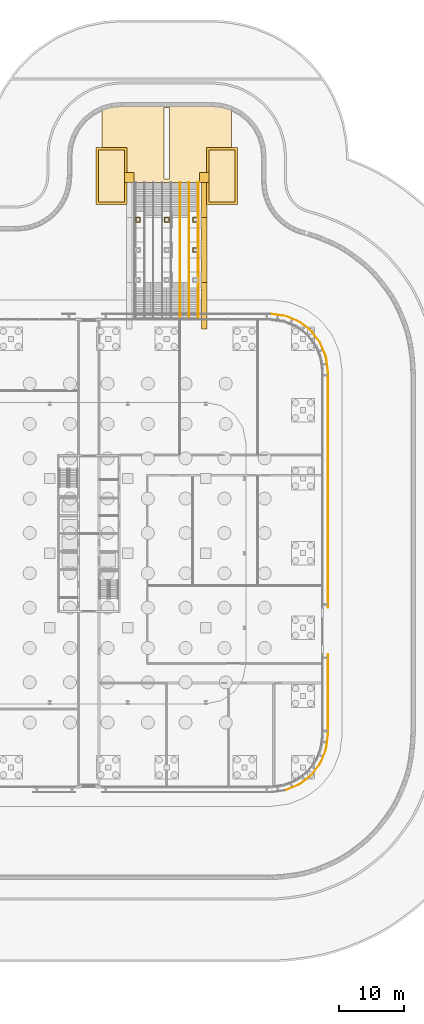
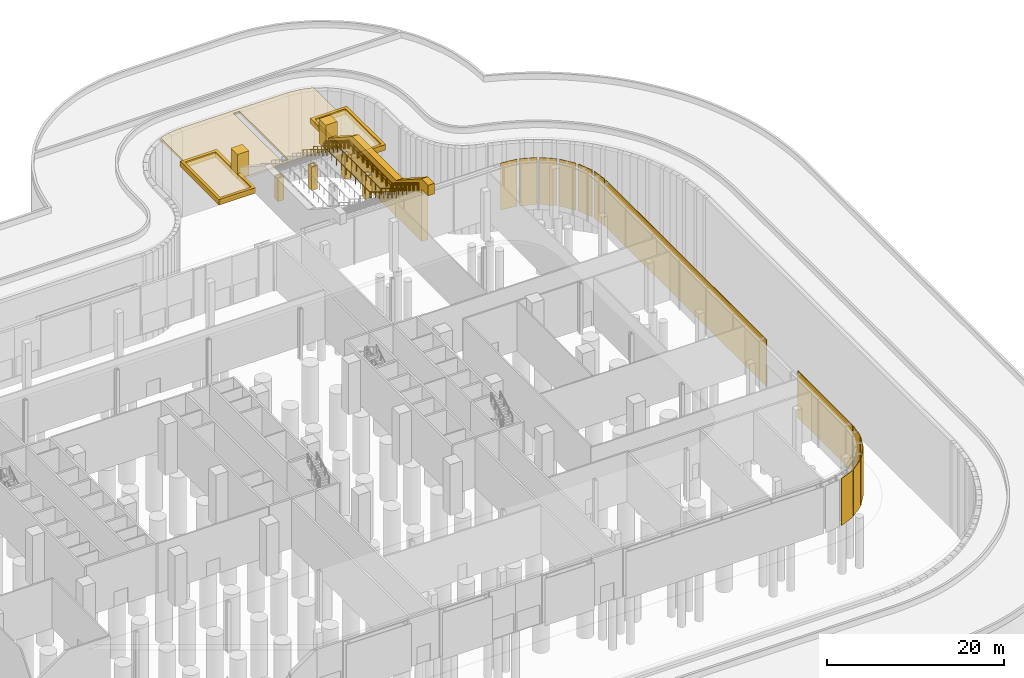
# One storey, part 46 of 48: 25 coverings, 4 railings, 1 element without a shape of its own.
"""IFC4 building model written with IfcOpenShell, lengths in metres."""

import ifcopenshell
import ifcopenshell.guid

model = None  # the IFC model being written
_history = None  # IfcOwnerHistory: only IFC2X3 demands one
_inside = {}  # id of a spatial element -> (the spatial element, [elements in it])
_under = {}  # id of a project, library or spatial element -> (it, [spatial elements below it])
_declared = {}  # id of a project -> (the project, [libraries it declares])
_typed = {}  # id of a type object -> (the type object, [elements of that type])
_made_of = {}  # id of a material, layer set ... -> (it, [elements and type objects made of it])


def new_model(schema):
    """Start an empty IFC model of exactly this schema.

    Asked for "IFC4X3", IfcOpenShell would pick the latest addendum, in which some entities
    have other attributes; the version numbers below select the first issue.
    IFC2X3 requires an IfcOwnerHistory on every rooted entity: one is made here for all.
    """
    global model, _history
    if schema == "IFC4X3":
        model = ifcopenshell.file(schema_version=(4, 3, 0, 0))
    else:
        model = ifcopenshell.file(schema=schema)
    _inside.clear()
    _under.clear()
    _declared.clear()
    _typed.clear()
    _made_of.clear()
    _history = None
    if model.schema == "IFC2X3":
        org = make("IfcOrganization", Name="unknown")
        user = make(
            "IfcPersonAndOrganization",
            ThePerson=make("IfcPerson", FamilyName="unknown"),
            TheOrganization=org,
        )
        app = make(
            "IfcApplication",
            ApplicationDeveloper=org,
            Version="unknown",
            ApplicationFullName="unknown",
            ApplicationIdentifier="unknown",
        )
        _history = make(
            "IfcOwnerHistory",
            OwningUser=user,
            OwningApplication=app,
            ChangeAction="ADDED",
            CreationDate=0,
        )
    return model


def make(cls, **values):
    """One entity of the class cls with the attributes given. An attribute that is None is left unset."""
    return model.create_entity(
        cls, **{name: value for name, value in values.items() if value is not None}
    )


def rooted(cls, **values):
    """An entity with a GlobalId (a new one), such as an element, a storey or a relation."""
    return make(cls, GlobalId=ifcopenshell.guid.new(), OwnerHistory=_history, **values)


def si_unit(unit_type, name, prefix=None):
    """IfcSIUnit, for example si_unit("LENGTHUNIT", "METRE", prefix="MILLI")."""
    return make("IfcSIUnit", UnitType=unit_type, Prefix=prefix, Name=name)


def assignment(units):
    """IfcUnitAssignment: the units of a project."""
    return None if units is None else make("IfcUnitAssignment", Units=units)


def point(xyz):
    """IfcCartesianPoint."""
    return None if xyz is None else make("IfcCartesianPoint", Coordinates=xyz)


def direction(xyz):
    """IfcDirection."""
    return None if xyz is None else make("IfcDirection", DirectionRatios=xyz)


def frame(location, z_axis=None, x_axis=None):
    """IfcAxis2Placement3D, a coordinate frame: its origin and axes. An axis left out is left unset."""
    return make(
        "IfcAxis2Placement3D",
        Location=point(location),
        Axis=direction(z_axis),
        RefDirection=direction(x_axis),
    )


def frame_2d(location, x_axis=None):
    """IfcAxis2Placement2D, a coordinate frame in the plane: its origin and x axis."""
    return make(
        "IfcAxis2Placement2D", Location=point(location), RefDirection=direction(x_axis)
    )


def origin():
    """The frame at (0, 0, 0) with its axes left unset."""
    return frame((0.0, 0.0, 0.0))


def origin_2d():
    """The frame at (0, 0) in the plane with its x axis left unset."""
    return frame_2d((0.0, 0.0))


def place(relative_to, where):
    """IfcLocalPlacement: puts the frame where relative to a parent placement (None: the world)."""
    return make(
        "IfcLocalPlacement", PlacementRelTo=relative_to, RelativePlacement=where
    )


def context(
    kind, dimensions, precision=None, world=None, true_north=None, identifier=None
):
    """IfcGeometricRepresentationContext, for example the 3D "Model" context."""
    return make(
        "IfcGeometricRepresentationContext",
        ContextIdentifier=identifier,
        ContextType=kind,
        CoordinateSpaceDimension=dimensions,
        Precision=precision,
        WorldCoordinateSystem=world,
        TrueNorth=true_north,
    )


def subcontext(parent, identifier, kind, view, scale=None):
    """IfcGeometricRepresentationSubContext, for example "Body" below "Model"."""
    return make(
        "IfcGeometricRepresentationSubContext",
        ContextIdentifier=identifier,
        ContextType=kind,
        ParentContext=parent,
        TargetScale=scale,
        TargetView=view,
    )


def project(units=None, contexts=None):
    """IfcProject with its units and contexts."""
    return rooted(
        "IfcProject",
        Name="project",
        RepresentationContexts=contexts,
        UnitsInContext=assignment(units),
    )


def spatial(cls, under=None, at=None, **own):
    """A site, building, storey or space (cls), placed at a placement, below another one or the project."""
    s = rooted(cls, ObjectPlacement=at, **own)
    if under is not None:
        _under.setdefault(under.id(), (under, []))[1].append(s)
    return s


def polyline(points):
    """IfcPolyline through the points."""
    return make("IfcPolyline", Points=[point(p) for p in points])


def profile(cls, at=None, kind="AREA", **sizes):
    """A parametric profile (cls). Its sizes go by their IFC names, for example OverallWidth=200.0."""
    return make(cls, ProfileType=kind, Position=at, **sizes)


def rectangle(**sizes):
    """IfcRectangleProfileDef."""
    return profile("IfcRectangleProfileDef", **sizes)


def circle(**sizes):
    """IfcCircleProfileDef."""
    return profile("IfcCircleProfileDef", **sizes)


def outline(outer, holes=None, kind="AREA"):
    """IfcArbitraryClosedProfileDef: a profile drawn as a closed curve; with holes, ...WithVoids."""
    if holes is None:
        return make("IfcArbitraryClosedProfileDef", ProfileType=kind, OuterCurve=outer)
    return make(
        "IfcArbitraryProfileDefWithVoids",
        ProfileType=kind,
        OuterCurve=outer,
        InnerCurves=holes,
    )


def extrude(swept, where, along, depth):
    """IfcExtrudedAreaSolid: the profile swept, set in the frame where, extruded along a direction by depth."""
    return make(
        "IfcExtrudedAreaSolid",
        SweptArea=swept,
        Position=where,
        ExtrudedDirection=direction(along),
        Depth=depth,
    )


def shape(context_of_items, identifier, shape_type, items):
    """IfcShapeRepresentation: the items that make up one representation, for example the "Body"."""
    return make(
        "IfcShapeRepresentation",
        ContextOfItems=context_of_items,
        RepresentationIdentifier=identifier,
        RepresentationType=shape_type,
        Items=items,
    )


def material(Name=None, Category=None):
    """IfcMaterial."""
    return make("IfcMaterial", Name=Name, Category=Category)


def layer(
    of_material, thickness, ventilated=None, Name=None, Category=None, Priority=None
):
    """IfcMaterialLayer: one layer of a wall or slab, of a material (None: an air gap)."""
    return make(
        "IfcMaterialLayer",
        Material=of_material,
        LayerThickness=thickness,
        IsVentilated=ventilated,
        Name=Name,
        Category=Category,
        Priority=Priority,
    )


def layer_set(layers, Name=None):
    """IfcMaterialLayerSet."""
    return make("IfcMaterialLayerSet", MaterialLayers=layers, LayerSetName=Name)


def made_of(thing, what):
    """Note that an element or type object is made of a material, layer set ...; save() writes the relation."""
    if what is not None:
        _made_of.setdefault(what.id(), (what, []))[1].append(thing)
    return thing


def type_object(cls, material=None, **own):
    """A type object (cls), such as IfcWallType, which elements share."""
    return made_of(rooted(cls, **own), material)


def element(
    cls,
    number,
    at=None,
    inside=None,
    cuts=None,
    type_object=None,
    material=None,
    context=None,
    identifier="Body",
    shape_type=None,
    held_by="IfcProductDefinitionShape",
    body=None,
    shapes=None,
    **own,
):
    """One element of the class cls, such as IfcWall. Its Tag is "e" and its number.

    at: its placement. inside: the storey or other place that contains it. cuts: it is an
    opening in that element (IfcRelVoidsElement). A single representation is given by context,
    identifier, shape_type and body (its items); several are given by shapes. held_by: the class
    of the entity that holds the representations. save() writes the other relations.
    """
    e = rooted(cls, Tag="e%d" % number, ObjectPlacement=at, **own)
    if body is not None:
        shapes = [shape(context, identifier, shape_type, body)]
    if shapes is not None:
        e.Representation = make(held_by, Representations=shapes)
    if inside is not None:
        _inside.setdefault(inside.id(), (inside, []))[1].append(e)
    if cuts is not None:
        rooted(
            "IfcRelVoidsElement", RelatingBuildingElement=cuts, RelatedOpeningElement=e
        )
    if type_object is not None:
        _typed.setdefault(type_object.id(), (type_object, []))[1].append(e)
    return made_of(e, material)


def aggregate(whole, parts):
    """IfcRelAggregates: a whole, such as a stair, and the parts it consists of."""
    return rooted("IfcRelAggregates", RelatingObject=whole, RelatedObjects=parts)


def save(model, path):
    """Write the relations noted so far, then the file.

    IfcRelAggregates (storeys below a building ...), IfcRelContainedInSpatialStructure (elements
    in a storey), IfcRelDefinesByType, IfcRelAssociatesMaterial and IfcRelDeclares: one each for
    every whole, place, type object, material and project.
    """
    for whole, parts in _under.values():
        aggregate(whole, parts)
    for where, things in _inside.values():
        rooted(
            "IfcRelContainedInSpatialStructure",
            RelatedElements=things,
            RelatingStructure=where,
        )
    for kind, things in _typed.values():
        rooted("IfcRelDefinesByType", RelatedObjects=things, RelatingType=kind)
    for what, things in _made_of.values():
        rooted("IfcRelAssociatesMaterial", RelatedObjects=things, RelatingMaterial=what)
    for by, libraries in _declared.values():
        rooted("IfcRelDeclares", RelatingContext=by, RelatedDefinitions=libraries)
    model.write(path)


model = new_model("IFC4")

# Units and contexts
model_context = context("Model", 3, precision=1e-05, world=origin(), true_north=direction((0.0, 1.0)))
body_context = subcontext(model_context, "Body", "Model", "MODEL_VIEW")
ifc_project = project(units=[si_unit("LENGTHUNIT", "METRE"), si_unit("AREAUNIT", "SQUARE_METRE"), si_unit("VOLUMEUNIT", "CUBIC_METRE"), si_unit("PLANEANGLEUNIT", "RADIAN"), si_unit("MASSUNIT", "GRAM", prefix="KILO")], contexts=[model_context])

# Site, building, storey
site_placement = place(None, origin())
site = spatial("IfcSite", under=ifc_project, at=site_placement, CompositionType="ELEMENT")
building_placement = place(site_placement, origin())
building = spatial("IfcBuilding", under=site, at=building_placement, Name="Mahtab Terrace Research Tower", CompositionType="ELEMENT")
storey_placement = place(building_placement, origin())
storey = spatial("IfcBuildingStorey", under=building, at=storey_placement, Name="G", CompositionType="ELEMENT", Elevation=0.0)

# Coverings
ifc_material_1 = material(Name="Glazed ceramic tile cladding", Category="masonry")
ifc_layer_1 = layer(ifc_material_1, 0.14990234375)
ifc_layer_set_1 = layer_set([ifc_layer_1], Name="Column sleeve cladding 150")
covering_type_1 = type_object("IfcCoveringType", Name="Column sleeve cladding 150", PredefinedType="CLADDING", material=ifc_layer_set_1)
covering_1_placement = place(storey_placement, origin())
element("IfcCovering", 1, at=covering_1_placement, inside=storey, type_object=covering_type_1, Name="Column sleeve PS2-1-1", PredefinedType="CLADDING", context=body_context, shape_type="SweptSolid", body=[
    extrude(outline(polyline([(31.199951171875, 50.949951171875), (32.0, 50.949951171875), (32.0, 51.75), (31.199951171875, 51.75), (31.199951171875, 50.949951171875)]), holes=[polyline([(31.35009765625, 51.10009765625), (31.85009765625, 51.10009765625), (31.85009765625, 51.60009765625), (31.35009765625, 51.60009765625), (31.35009765625, 51.10009765625)])]), origin(), (0.0, 0.0, 1.0), 3.2119140625),
])
covering_2_placement = place(storey_placement, origin())
element("IfcCovering", 2, at=covering_2_placement, inside=storey, type_object=covering_type_1, Name="Column sleeve PS2-2-1", PredefinedType="CLADDING", context=body_context, shape_type="SweptSolid", body=[
    extrude(outline(polyline([(35.60009765625, 50.949951171875), (36.39990234375, 50.949951171875), (36.39990234375, 51.75), (35.60009765625, 51.75), (35.60009765625, 50.949951171875)]), holes=[polyline([(35.75, 51.10009765625), (36.25, 51.10009765625), (36.25, 51.60009765625), (35.75, 51.60009765625), (35.75, 51.10009765625)])]), origin(), (0.0, 0.0, 1.0), 3.2119140625),
])
covering_3_placement = place(storey_placement, origin())
element("IfcCovering", 3, at=covering_3_placement, inside=storey, type_object=covering_type_1, Name="Column sleeve PS2-3-1", PredefinedType="CLADDING", context=body_context, shape_type="SweptSolid", body=[
    extrude(outline(polyline([(40.0, 50.949951171875), (40.800048828125, 50.949951171875), (40.800048828125, 51.75), (40.0, 51.75), (40.0, 50.949951171875)]), holes=[polyline([(40.14990234375, 51.10009765625), (40.64990234375, 51.10009765625), (40.64990234375, 51.60009765625), (40.14990234375, 51.60009765625), (40.14990234375, 51.10009765625)])]), origin(), (0.0, 0.0, 1.0), 3.2119140625),
])
covering_4_placement = place(storey_placement, origin())
element("IfcCovering", 4, at=covering_4_placement, inside=storey, type_object=covering_type_1, Name="Column sleeve PS2-3-2", PredefinedType="CLADDING", context=body_context, shape_type="SweptSolid", body=[
    extrude(outline(polyline([(40.0, 46.300048828125), (40.800048828125, 46.300048828125), (40.800048828125, 47.10009765625), (40.0, 47.10009765625), (40.0, 46.300048828125)]), holes=[polyline([(40.14990234375, 46.449951171875), (40.64990234375, 46.449951171875), (40.64990234375, 46.949951171875), (40.14990234375, 46.949951171875), (40.14990234375, 46.449951171875)])]), origin(), (0.0, 0.0, 1.0), 3.2119140625),
])
ifc_material_2 = material(Name="Bronze anodised aluminium", Category="aluminium")
ifc_layer_2 = layer(ifc_material_2, 0.06005859375)
ifc_layer_set_2 = layer_set([ifc_layer_2], Name="Ground facade girih screen panel")
covering_type_2 = type_object("IfcCoveringType", Name="Ground facade girih screen panel", PredefinedType="CLADDING", material=ifc_layer_set_2)
covering_5_placement = place(storey_placement, frame((60.09423828125, 31.35302734375, 0.10009765625), z_axis=(0.0, 0.0, 1.0), x_axis=(-0.382676089485, 0.923882573998, 0.0)))
element("IfcCovering", 5, at=covering_5_placement, inside=storey, type_object=covering_type_2, Name="Girih screen ground E1", PredefinedType="CLADDING", context=body_context, shape_type="SweptSolid", body=[
    extrude(rectangle(XDim=1.988037109375, YDim=0.06005859375, at=origin_2d()), origin(), (0.0, 0.0, 1.0), 6.5),
])
for number, where, z_axis, x_axis, name in (
    (6, (58.951171875, 33.333740234375, 0.10009765625), (0.0, 0.0, 1.0), (-0.60862253119, 0.793459901021, 0.0), "Girih screen ground E1"),
    (7, (57.333740234375, 34.951171875, 0.10009765625), (0.0, 0.0, 1.0), (-0.793459901021, 0.60862253119, 0.0), "Girih screen ground N1"),
):
    element("IfcCovering", number, at=place(storey_placement, frame(where, z_axis=z_axis, x_axis=x_axis)), inside=storey, type_object=covering_type_2, Name=name, PredefinedType="CLADDING", context=body_context, shape_type="SweptSolid", body=[
        extrude(rectangle(XDim=1.98828125, YDim=0.06005859375, at=origin_2d()), origin(), (0.0, 0.0, 1.0), 6.5),
    ])
covering_6_placement = place(storey_placement, frame((55.35302734375, 36.09423828125, 0.10009765625), z_axis=(0.0, 0.0, 1.0), x_axis=(-0.923882573998, 0.382676089485, 0.0)))
element("IfcCovering", 8, at=covering_6_placement, inside=storey, type_object=covering_type_2, Name="Girih screen ground N1", PredefinedType="CLADDING", context=body_context, shape_type="SweptSolid", body=[
    extrude(rectangle(XDim=1.988037109375, YDim=0.06005859375, at=origin_2d()), origin(), (0.0, 0.0, 1.0), 6.5),
])
covering_7_placement = place(storey_placement, frame((53.14404296875, 36.686279296875, 0.10009765625), z_axis=(0.0, 0.0, 1.0), x_axis=(-0.991423309059, 0.130689793992, 0.0)))
element("IfcCovering", 9, at=covering_7_placement, inside=storey, type_object=covering_type_2, Name="Girih screen ground N1", PredefinedType="CLADDING", context=body_context, shape_type="SweptSolid", body=[
    extrude(rectangle(XDim=1.989013671875, YDim=0.06005859375, at=origin_2d()), origin(), (0.0, 0.0, 1.0), 6.5),
])
covering_8_placement = place(storey_placement, frame((55.35302734375, -36.09423828125, 0.10009765625), z_axis=(0.0, 0.0, 1.0), x_axis=(0.923882573998, 0.382676089485, 0.0)))
element("IfcCovering", 10, at=covering_8_placement, inside=storey, type_object=covering_type_2, Name="Girih screen ground S1", PredefinedType="CLADDING", context=body_context, shape_type="SweptSolid", body=[
    extrude(rectangle(XDim=1.988037109375, YDim=0.06005859375, at=origin_2d()), origin(), (0.0, 0.0, 1.0), 6.5),
])
for number, where, z_axis, x_axis, name in (
    (11, (57.333740234375, -34.951171875, 0.10009765625), (0.0, 0.0, 1.0), (0.793459901021, 0.60862253119, 0.0), "Girih screen ground S1"),
    (12, (58.951171875, -33.333740234375, 0.10009765625), (0.0, 0.0, 1.0), (0.60862253119, 0.793459901021, 0.0), "Girih screen ground E1"),
):
    element("IfcCovering", number, at=place(storey_placement, frame(where, z_axis=z_axis, x_axis=x_axis)), inside=storey, type_object=covering_type_2, Name=name, PredefinedType="CLADDING", context=body_context, shape_type="SweptSolid", body=[
        extrude(rectangle(XDim=1.98828125, YDim=0.06005859375, at=origin_2d()), origin(), (0.0, 0.0, 1.0), 6.5),
    ])
covering_9_placement = place(storey_placement, frame((60.09423828125, -31.35302734375, 0.10009765625), z_axis=(0.0, 0.0, 1.0), x_axis=(0.382676089485, 0.923882573998, 0.0)))
element("IfcCovering", 13, at=covering_9_placement, inside=storey, type_object=covering_type_2, Name="Girih screen ground E1", PredefinedType="CLADDING", context=body_context, shape_type="SweptSolid", body=[
    extrude(rectangle(XDim=1.988037109375, YDim=0.06005859375, at=origin_2d()), origin(), (0.0, 0.0, 1.0), 6.5),
])
covering_10_placement = place(storey_placement, frame((60.686279296875, -29.14404296875, 0.10009765625), z_axis=(0.0, 0.0, 1.0), x_axis=(0.130689793992, 0.991423309059, 0.0)))
element("IfcCovering", 14, at=covering_10_placement, inside=storey, type_object=covering_type_2, Name="Girih screen ground E1", PredefinedType="CLADDING", context=body_context, shape_type="SweptSolid", body=[
    extrude(rectangle(XDim=1.989013671875, YDim=0.06005859375, at=origin_2d()), origin(), (0.0, 0.0, 1.0), 6.5),
])
covering_11_placement = place(storey_placement, frame((60.830078125, -21.75, 0.10009765625), z_axis=(0.0, 0.0, 1.0), x_axis=(0.0, 1.0, 0.0)))
element("IfcCovering", 15, at=covering_11_placement, inside=storey, type_object=covering_type_2, Name="Girih screen ground E1", PredefinedType="CLADDING", context=body_context, shape_type="SweptSolid", body=[
    extrude(rectangle(XDim=12.39990234375, YDim=0.06005859375, at=origin_2d()), origin(), (0.0, 0.0, 1.0), 6.5),
])
covering_12_placement = place(storey_placement, frame((60.830078125, 9.75, 0.10009765625), z_axis=(0.0, 0.0, 1.0), x_axis=(0.0, 1.0, 0.0)))
element("IfcCovering", 16, at=covering_12_placement, inside=storey, type_object=covering_type_2, Name="Girih screen ground E3", PredefinedType="CLADDING", context=body_context, shape_type="SweptSolid", body=[
    extrude(rectangle(XDim=36.39990234375, YDim=0.06005859375, at=origin_2d()), origin(), (0.0, 0.0, 1.0), 6.5),
])
covering_13_placement = place(storey_placement, frame((60.686279296875, 29.14404296875, 0.10009765625), z_axis=(0.0, 0.0, 1.0), x_axis=(-0.130689793992, 0.991423309059, 0.0)))
element("IfcCovering", 17, at=covering_13_placement, inside=storey, type_object=covering_type_2, Name="Girih screen ground E1", PredefinedType="CLADDING", context=body_context, shape_type="SweptSolid", body=[
    extrude(rectangle(XDim=1.989013671875, YDim=0.06005859375, at=origin_2d()), origin(), (0.0, 0.0, 1.0), 6.5),
])
ifc_material_3 = material(Name="Planting soil and shrubs")
ifc_layer_3 = layer(ifc_material_3, 0.1201171875)
ifc_layer_set_3 = layer_set([ifc_layer_3], Name="Planter")
covering_type_3 = type_object("IfcCoveringType", Name="Planter", PredefinedType="USERDEFINED", material=ifc_layer_set_3)
for number, where, z_axis, x_axis, name in (
    (18, (27.5, 58.114990234375, -0.010009765625), (0.0, 0.0, 1.0), (1.0, 0.0, 0.0), "PLANTER forecourt"),
    (19, (44.5, 58.114990234375, -0.010009765625), (0.0, 0.0, 1.0), (1.0, 0.0, 0.0), "PLANTER forecourt"),
):
    element("IfcCovering", number, at=place(storey_placement, frame(where, z_axis=z_axis, x_axis=x_axis)), inside=storey, type_object=covering_type_3, Name=name, ObjectType="PLANTER", PredefinedType="USERDEFINED", context=body_context, shape_type="SweptSolid", body=[
        extrude(rectangle(XDim=4.0, YDim=8.0, at=origin_2d()), origin(), (0.0, 0.0, 1.0), 0.60009765625),
    ])
ifc_material_4 = material(Name="Precast concrete C40/50", Category="concrete")
ifc_layer_4 = layer(ifc_material_4, 0.199951171875)
ifc_layer_set_4 = layer_set([ifc_layer_4], Name="Precast coping 400")
covering_type_4 = type_object("IfcCoveringType", Name="Precast coping 400", PredefinedType="MOLDING", material=ifc_layer_set_4)
covering_14_placement = place(storey_placement, frame((0.0, 0.0, -0.010009765625)))
element("IfcCovering", 20, at=covering_14_placement, inside=storey, type_object=covering_type_4, Name="Planter bed coping", PredefinedType="CLADDING", context=body_context, shape_type="SweptSolid", body=[
    extrude(outline(polyline([(25.10009765625, 53.715087890625), (25.10009765625, 62.514892578125), (29.89990234375, 62.514892578125), (29.89990234375, 53.715087890625), (25.10009765625, 53.715087890625)]), holes=[polyline([(29.5, 62.114990234375), (25.5, 62.114990234375), (25.5, 54.114990234375), (29.5, 54.114990234375), (29.5, 62.114990234375)])]), origin(), (0.0, 0.0, 1.0), 0.75),
])
covering_15_placement = place(storey_placement, frame((0.0, 0.0, -0.010009765625)))
element("IfcCovering", 21, at=covering_15_placement, inside=storey, type_object=covering_type_4, Name="Planter bed coping", PredefinedType="CLADDING", context=body_context, shape_type="SweptSolid", body=[
    extrude(outline(polyline([(42.10009765625, 53.715087890625), (42.10009765625, 62.514892578125), (46.89990234375, 62.514892578125), (46.89990234375, 53.715087890625), (42.10009765625, 53.715087890625)]), holes=[polyline([(46.5, 62.114990234375), (42.5, 62.114990234375), (42.5, 54.114990234375), (46.5, 54.114990234375), (46.5, 62.114990234375)])]), origin(), (0.0, 0.0, 1.0), 0.75),
])
ifc_material_5 = material(Name="Sandstone paving", Category="masonry")
ifc_layer_5 = layer(ifc_material_5, 0.300048828125)
ifc_layer_set_5 = layer_set([ifc_layer_5], Name="Sandstone forecourt paving 300")
covering_type_5 = type_object("IfcCoveringType", Name="Sandstone forecourt paving 300", PredefinedType="FLOORING", material=ifc_layer_set_5)
covering_16_placement = place(storey_placement, frame((0.0, 0.0, -0.31005859375)))
element("IfcCovering", 22, at=covering_16_placement, inside=storey, type_object=covering_type_5, Name="Stair forecourt paving 2.1", PredefinedType="FLOORING", context=body_context, shape_type="SweptSolid", body=[
    extrude(outline(polyline([(26.0, 57.114990234375), (26.0, 68.52490234375), (27.43896484375, 68.9609375), (29.0, 69.114990234375), (43.0, 69.114990234375), (44.56103515625, 68.9609375), (46.0, 68.52490234375), (46.0, 57.114990234375), (26.0, 57.114990234375)]), holes=[polyline([(36.39990234375, 68.614990234375), (35.60009765625, 68.614990234375), (35.60009765625, 57.614990234375), (36.39990234375, 57.614990234375), (36.39990234375, 68.614990234375)])]), origin(), (0.0, 0.0, 1.0), 0.300048828125),
])
ifc_layer_6 = layer(ifc_material_1, 0.85009765625)
ifc_layer_set_6 = layer_set([ifc_layer_6], Name="Stair cheek cladding 850")
covering_type_6 = type_object("IfcCoveringType", Name="Stair cheek cladding 850", PredefinedType="CLADDING", material=ifc_layer_set_6)
covering_17_placement = place(storey_placement, frame((30.22509765625, 57.864990234375, 0.0), z_axis=(0.0, 0.0, 1.0), x_axis=(1.0, 0.0, 0.0)))
element("IfcCovering", 23, at=covering_17_placement, inside=storey, type_object=covering_type_6, Name="Stair foot pier PS2W", PredefinedType="CLADDING", context=body_context, shape_type="SweptSolid", body=[
    extrude(rectangle(XDim=1.5, YDim=1.5, at=origin_2d()), origin(), (0.0, 0.0, 1.0), 3.39990234375),
])
covering_18_placement = place(storey_placement, frame((41.35009765625, 36.0, 0.0), z_axis=(-1.0, 0.0, 0.0), x_axis=(0.0, 0.0, 1.0)))
element("IfcCovering", 24, at=covering_18_placement, inside=storey, type_object=covering_type_6, Name="Stair cheek PS2E", PredefinedType="CLADDING", context=body_context, shape_type="SweptSolid", body=[
    extrude(outline(polyline([(0.0, 0.0), (7.22998046875, 0.0), (7.22998046875, -1.5), (8.699951171875, -1.5), (8.699951171875, 0.0), (5.011962890625, 5.699951171875), (5.011962890625, 15.699951171875), (1.5, 21.114990234375), (0.0, 21.114990234375), (0.0, 0.0)])), origin(), (0.0, 0.0, -1.0), 0.85009765625),
])
covering_19_placement = place(storey_placement, frame((41.77490234375, 57.864990234375, 0.0), z_axis=(0.0, 0.0, 1.0), x_axis=(1.0, 0.0, 0.0)))
element("IfcCovering", 25, at=covering_19_placement, inside=storey, type_object=covering_type_6, Name="Stair foot pier PS2E", PredefinedType="CLADDING", context=body_context, shape_type="SweptSolid", body=[
    extrude(rectangle(XDim=1.5, YDim=1.5, at=origin_2d()), origin(), (0.0, 0.0, 1.0), 3.39990234375),
])

# Stair, railings
ifc_material_6 = material(Name="Public deck stair")
stair_type = type_object("IfcStairType", Name="Public deck stair", PredefinedType="STRAIGHT_RUN_STAIR", material=ifc_material_6)
stair_placement = place(storey_placement, origin())
stair = element("IfcStair", 26, at=stair_placement, inside=storey, type_object=stair_type, Name="Public deck stair PS2", PredefinedType="STRAIGHT_RUN_STAIR")
ifc_material_7 = material(Name="Stainless steel AISI 304", Category="steel")
railing_type_1 = type_object("IfcRailingType", Name="Stair guard 1100", PredefinedType="GUARDRAIL", material=ifc_material_7)
railing_1_placement = place(storey_placement, frame((40.949951171875, 57.114990234375, 0.175537109375)))
railing_1 = element("IfcRailing", 27, at=railing_1_placement, type_object=railing_type_1, Name="PS2 stair guard 2", PredefinedType="GUARDRAIL", context=body_context, shape_type="SweptSolid", body=[
    extrude(circle(Radius=0.02392578125, at=origin_2d()), frame((0.0, 0.0, 1.076171875), z_axis=(0.0, -0.851353738044, 0.524592044087), x_axis=(1.0, 0.0, 0.0)), (0.0, 0.0, 1.0), 6.360595703125),
    extrude(circle(Radius=0.02392578125, at=origin_2d()), frame((0.0, -5.4150390625, 4.41259765625), z_axis=(0.0, -1.0, 0.0), x_axis=(1.0, 0.0, 0.0)), (0.0, 0.0, 1.0), 9.699951171875),
    extrude(circle(Radius=0.02392578125, at=origin_2d()), frame((0.0, -15.114990234375, 4.41259765625), z_axis=(0.0, -0.863141399684, 0.504962299734), x_axis=(1.0, 0.0, 0.0)), (0.0, 0.0, 1.0), 0.34765625),
    extrude(circle(Radius=0.02392578125, at=origin_2d()), frame((0.0, -15.4150390625, 4.58837890625), z_axis=(0.0, -0.851355183799, 0.524589697782), x_axis=(1.0, 0.0, 0.0)), (0.0, 0.0, 1.0), 6.695068359375),
    extrude(circle(Radius=0.02099609375, at=origin_2d()), origin(), (0.0, 0.0, 1.0), 1.052001953125),
    extrude(circle(Radius=0.02099609375, at=origin_2d()), frame((0.0, -0.902587890625, 0.55615234375)), (0.0, 0.0, 1.0), 1.052001953125),
    extrude(circle(Radius=0.02099609375, at=origin_2d()), frame((0.0, -1.804931640625, 1.1123046875)), (0.0, 0.0, 1.0), 1.052001953125),
    extrude(circle(Radius=0.02099609375, at=origin_2d()), frame((0.0, -2.70751953125, 1.66845703125)), (0.0, 0.0, 1.0), 1.052001953125),
    extrude(circle(Radius=0.02099609375, at=origin_2d()), frame((0.0, -3.610107421875, 2.224365234375)), (0.0, 0.0, 1.0), 1.052001953125),
    extrude(circle(Radius=0.02099609375, at=origin_2d()), frame((0.0, -4.512451171875, 2.780517578125)), (0.0, 0.0, 1.0), 1.052001953125),
    extrude(circle(Radius=0.02099609375, at=origin_2d()), frame((0.0, -5.4150390625, 3.336669921875)), (0.0, 0.0, 1.0), 1.052001953125),
    extrude(circle(Radius=0.02099609375, at=origin_2d()), frame((0.0, -6.492919921875, 3.336669921875)), (0.0, 0.0, 1.0), 1.052001953125),
    extrude(circle(Radius=0.02099609375, at=origin_2d()), frame((0.0, -7.570556640625, 3.336669921875)), (0.0, 0.0, 1.0), 1.052001953125),
    extrude(circle(Radius=0.02099609375, at=origin_2d()), frame((0.0, -8.6484375, 3.336669921875)), (0.0, 0.0, 1.0), 1.052001953125),
    extrude(circle(Radius=0.02099609375, at=origin_2d()), frame((0.0, -9.72607421875, 3.336669921875)), (0.0, 0.0, 1.0), 1.052001953125),
    extrude(circle(Radius=0.02099609375, at=origin_2d()), frame((0.0, -10.803955078125, 3.336669921875)), (0.0, 0.0, 1.0), 1.052001953125),
    extrude(circle(Radius=0.02099609375, at=origin_2d()), frame((0.0, -11.881591796875, 3.336669921875)), (0.0, 0.0, 1.0), 1.052001953125),
    extrude(circle(Radius=0.02099609375, at=origin_2d()), frame((0.0, -12.95947265625, 3.336669921875)), (0.0, 0.0, 1.0), 1.052001953125),
    extrude(circle(Radius=0.02099609375, at=origin_2d()), frame((0.0, -14.037109375, 3.336669921875)), (0.0, 0.0, 1.0), 1.052001953125),
    extrude(circle(Radius=0.02099609375, at=origin_2d()), frame((0.0, -15.114990234375, 3.336669921875)), (0.0, 0.0, 1.0), 1.052001953125),
    extrude(circle(Radius=0.02099609375, at=origin_2d()), frame((0.0, -15.4150390625, 3.51220703125)), (0.0, 0.0, 1.0), 1.052001953125),
    extrude(circle(Radius=0.02099609375, at=origin_2d()), frame((0.0, -16.364990234375, 4.09765625)), (0.0, 0.0, 1.0), 1.052001953125),
    extrude(circle(Radius=0.02099609375, at=origin_2d()), frame((0.0, -17.31494140625, 4.682861328125)), (0.0, 0.0, 1.0), 1.052001953125),
    extrude(circle(Radius=0.02099609375, at=origin_2d()), frame((0.0, -18.26513671875, 5.268310546875)), (0.0, 0.0, 1.0), 1.052001953125),
    extrude(circle(Radius=0.02099609375, at=origin_2d()), frame((0.0, -19.215087890625, 5.853759765625)), (0.0, 0.0, 1.0), 1.052001953125),
    extrude(circle(Radius=0.02099609375, at=origin_2d()), frame((0.0, -20.1650390625, 6.43896484375)), (0.0, 0.0, 1.0), 1.052001953125),
    extrude(circle(Radius=0.02099609375, at=origin_2d()), frame((0.0, -21.114990234375, 7.0244140625)), (0.0, 0.0, 1.0), 1.052001953125),
])
railing_type_2 = type_object("IfcRailingType", Name="Stair handrail 900", PredefinedType="HANDRAIL", material=ifc_material_7)
railing_2_placement = place(storey_placement, frame((38.05712890625, 57.114990234375, 0.175537109375)))
railing_2 = element("IfcRailing", 28, at=railing_2_placement, type_object=railing_type_2, Name="PS2 stair handrail 8", PredefinedType="HANDRAIL", context=body_context, shape_type="SweptSolid", body=[
    extrude(circle(Radius=0.02392578125, at=origin_2d()), frame((0.0, 0.0, 0.8759765625), z_axis=(0.0, -0.851353738044, 0.524592044087), x_axis=(1.0, 0.0, 0.0)), (0.0, 0.0, 1.0), 6.360595703125),
    extrude(circle(Radius=0.02392578125, at=origin_2d()), frame((0.0, -5.4150390625, 4.21240234375), z_axis=(0.0, -1.0, 0.0), x_axis=(1.0, 0.0, 0.0)), (0.0, 0.0, 1.0), 9.699951171875),
    extrude(circle(Radius=0.02392578125, at=origin_2d()), frame((0.0, -15.114990234375, 4.21240234375), z_axis=(0.0, -0.863141399684, 0.504962299734), x_axis=(1.0, 0.0, 0.0)), (0.0, 0.0, 1.0), 0.34765625),
    extrude(circle(Radius=0.02392578125, at=origin_2d()), frame((0.0, -15.4150390625, 4.38818359375), z_axis=(0.0, -0.851355183799, 0.524589697782), x_axis=(1.0, 0.0, 0.0)), (0.0, 0.0, 1.0), 6.695068359375),
    extrude(circle(Radius=0.02099609375, at=origin_2d()), origin(), (0.0, 0.0, 1.0), 0.851806640625),
    extrude(circle(Radius=0.02099609375, at=origin_2d()), frame((0.0, -0.902587890625, 0.55615234375)), (0.0, 0.0, 1.0), 0.851806640625),
    extrude(circle(Radius=0.02099609375, at=origin_2d()), frame((0.0, -1.804931640625, 1.1123046875)), (0.0, 0.0, 1.0), 0.851806640625),
    extrude(circle(Radius=0.02099609375, at=origin_2d()), frame((0.0, -2.70751953125, 1.66845703125)), (0.0, 0.0, 1.0), 0.851806640625),
    extrude(circle(Radius=0.02099609375, at=origin_2d()), frame((0.0, -3.610107421875, 2.224365234375)), (0.0, 0.0, 1.0), 0.851806640625),
    extrude(circle(Radius=0.02099609375, at=origin_2d()), frame((0.0, -4.512451171875, 2.780517578125)), (0.0, 0.0, 1.0), 0.851806640625),
    extrude(circle(Radius=0.02099609375, at=origin_2d()), frame((0.0, -5.4150390625, 3.336669921875)), (0.0, 0.0, 1.0), 0.851806640625),
    extrude(circle(Radius=0.02099609375, at=origin_2d()), frame((0.0, -6.492919921875, 3.336669921875)), (0.0, 0.0, 1.0), 0.851806640625),
    extrude(circle(Radius=0.02099609375, at=origin_2d()), frame((0.0, -7.570556640625, 3.336669921875)), (0.0, 0.0, 1.0), 0.851806640625),
    extrude(circle(Radius=0.02099609375, at=origin_2d()), frame((0.0, -8.6484375, 3.336669921875)), (0.0, 0.0, 1.0), 0.851806640625),
    extrude(circle(Radius=0.02099609375, at=origin_2d()), frame((0.0, -9.72607421875, 3.336669921875)), (0.0, 0.0, 1.0), 0.851806640625),
    extrude(circle(Radius=0.02099609375, at=origin_2d()), frame((0.0, -10.803955078125, 3.336669921875)), (0.0, 0.0, 1.0), 0.851806640625),
    extrude(circle(Radius=0.02099609375, at=origin_2d()), frame((0.0, -11.881591796875, 3.336669921875)), (0.0, 0.0, 1.0), 0.851806640625),
    extrude(circle(Radius=0.02099609375, at=origin_2d()), frame((0.0, -12.95947265625, 3.336669921875)), (0.0, 0.0, 1.0), 0.851806640625),
    extrude(circle(Radius=0.02099609375, at=origin_2d()), frame((0.0, -14.037109375, 3.336669921875)), (0.0, 0.0, 1.0), 0.851806640625),
    extrude(circle(Radius=0.02099609375, at=origin_2d()), frame((0.0, -15.114990234375, 3.336669921875)), (0.0, 0.0, 1.0), 0.851806640625),
    extrude(circle(Radius=0.02099609375, at=origin_2d()), frame((0.0, -15.4150390625, 3.51220703125)), (0.0, 0.0, 1.0), 0.851806640625),
    extrude(circle(Radius=0.02099609375, at=origin_2d()), frame((0.0, -16.364990234375, 4.09765625)), (0.0, 0.0, 1.0), 0.851806640625),
    extrude(circle(Radius=0.02099609375, at=origin_2d()), frame((0.0, -17.31494140625, 4.682861328125)), (0.0, 0.0, 1.0), 0.851806640625),
    extrude(circle(Radius=0.02099609375, at=origin_2d()), frame((0.0, -18.26513671875, 5.268310546875)), (0.0, 0.0, 1.0), 0.851806640625),
    extrude(circle(Radius=0.02099609375, at=origin_2d()), frame((0.0, -19.215087890625, 5.853759765625)), (0.0, 0.0, 1.0), 0.851806640625),
    extrude(circle(Radius=0.02099609375, at=origin_2d()), frame((0.0, -20.1650390625, 6.43896484375)), (0.0, 0.0, 1.0), 0.851806640625),
    extrude(circle(Radius=0.02099609375, at=origin_2d()), frame((0.0, -21.114990234375, 7.0244140625)), (0.0, 0.0, 1.0), 0.851806640625),
])
railing_3_placement = place(storey_placement, frame((39.4287109375, 57.114990234375, 0.175537109375)))
railing_3 = element("IfcRailing", 29, at=railing_3_placement, type_object=railing_type_2, Name="PS2 stair handrail 9", PredefinedType="HANDRAIL", context=body_context, shape_type="SweptSolid", body=[
    extrude(circle(Radius=0.02392578125, at=origin_2d()), frame((0.0, 0.0, 0.8759765625), z_axis=(0.0, -0.851353738044, 0.524592044087), x_axis=(1.0, 0.0, 0.0)), (0.0, 0.0, 1.0), 6.360595703125),
    extrude(circle(Radius=0.02392578125, at=origin_2d()), frame((0.0, -5.4150390625, 4.21240234375), z_axis=(0.0, -1.0, 0.0), x_axis=(1.0, 0.0, 0.0)), (0.0, 0.0, 1.0), 9.699951171875),
    extrude(circle(Radius=0.02392578125, at=origin_2d()), frame((0.0, -15.114990234375, 4.21240234375), z_axis=(0.0, -0.863141399684, 0.504962299734), x_axis=(1.0, 0.0, 0.0)), (0.0, 0.0, 1.0), 0.34765625),
    extrude(circle(Radius=0.02392578125, at=origin_2d()), frame((0.0, -15.4150390625, 4.38818359375), z_axis=(0.0, -0.851355183799, 0.524589697782), x_axis=(1.0, 0.0, 0.0)), (0.0, 0.0, 1.0), 6.695068359375),
    extrude(circle(Radius=0.02099609375, at=origin_2d()), origin(), (0.0, 0.0, 1.0), 0.851806640625),
    extrude(circle(Radius=0.02099609375, at=origin_2d()), frame((0.0, -0.902587890625, 0.55615234375)), (0.0, 0.0, 1.0), 0.851806640625),
    extrude(circle(Radius=0.02099609375, at=origin_2d()), frame((0.0, -1.804931640625, 1.1123046875)), (0.0, 0.0, 1.0), 0.851806640625),
    extrude(circle(Radius=0.02099609375, at=origin_2d()), frame((0.0, -2.70751953125, 1.66845703125)), (0.0, 0.0, 1.0), 0.851806640625),
    extrude(circle(Radius=0.02099609375, at=origin_2d()), frame((0.0, -3.610107421875, 2.224365234375)), (0.0, 0.0, 1.0), 0.851806640625),
    extrude(circle(Radius=0.02099609375, at=origin_2d()), frame((0.0, -4.512451171875, 2.780517578125)), (0.0, 0.0, 1.0), 0.851806640625),
    extrude(circle(Radius=0.02099609375, at=origin_2d()), frame((0.0, -5.4150390625, 3.336669921875)), (0.0, 0.0, 1.0), 0.851806640625),
    extrude(circle(Radius=0.02099609375, at=origin_2d()), frame((0.0, -6.492919921875, 3.336669921875)), (0.0, 0.0, 1.0), 0.851806640625),
    extrude(circle(Radius=0.02099609375, at=origin_2d()), frame((0.0, -7.570556640625, 3.336669921875)), (0.0, 0.0, 1.0), 0.851806640625),
    extrude(circle(Radius=0.02099609375, at=origin_2d()), frame((0.0, -8.6484375, 3.336669921875)), (0.0, 0.0, 1.0), 0.851806640625),
    extrude(circle(Radius=0.02099609375, at=origin_2d()), frame((0.0, -9.72607421875, 3.336669921875)), (0.0, 0.0, 1.0), 0.851806640625),
    extrude(circle(Radius=0.02099609375, at=origin_2d()), frame((0.0, -10.803955078125, 3.336669921875)), (0.0, 0.0, 1.0), 0.851806640625),
    extrude(circle(Radius=0.02099609375, at=origin_2d()), frame((0.0, -11.881591796875, 3.336669921875)), (0.0, 0.0, 1.0), 0.851806640625),
    extrude(circle(Radius=0.02099609375, at=origin_2d()), frame((0.0, -12.95947265625, 3.336669921875)), (0.0, 0.0, 1.0), 0.851806640625),
    extrude(circle(Radius=0.02099609375, at=origin_2d()), frame((0.0, -14.037109375, 3.336669921875)), (0.0, 0.0, 1.0), 0.851806640625),
    extrude(circle(Radius=0.02099609375, at=origin_2d()), frame((0.0, -15.114990234375, 3.336669921875)), (0.0, 0.0, 1.0), 0.851806640625),
    extrude(circle(Radius=0.02099609375, at=origin_2d()), frame((0.0, -15.4150390625, 3.51220703125)), (0.0, 0.0, 1.0), 0.851806640625),
    extrude(circle(Radius=0.02099609375, at=origin_2d()), frame((0.0, -16.364990234375, 4.09765625)), (0.0, 0.0, 1.0), 0.851806640625),
    extrude(circle(Radius=0.02099609375, at=origin_2d()), frame((0.0, -17.31494140625, 4.682861328125)), (0.0, 0.0, 1.0), 0.851806640625),
    extrude(circle(Radius=0.02099609375, at=origin_2d()), frame((0.0, -18.26513671875, 5.268310546875)), (0.0, 0.0, 1.0), 0.851806640625),
    extrude(circle(Radius=0.02099609375, at=origin_2d()), frame((0.0, -19.215087890625, 5.853759765625)), (0.0, 0.0, 1.0), 0.851806640625),
    extrude(circle(Radius=0.02099609375, at=origin_2d()), frame((0.0, -20.1650390625, 6.43896484375)), (0.0, 0.0, 1.0), 0.851806640625),
    extrude(circle(Radius=0.02099609375, at=origin_2d()), frame((0.0, -21.114990234375, 7.0244140625)), (0.0, 0.0, 1.0), 0.851806640625),
])
railing_4_placement = place(storey_placement, frame((40.800048828125, 57.114990234375, 0.175537109375)))
railing_4 = element("IfcRailing", 30, at=railing_4_placement, type_object=railing_type_2, Name="PS2 stair handrail 10", PredefinedType="HANDRAIL", context=body_context, shape_type="SweptSolid", body=[
    extrude(circle(Radius=0.02392578125, at=origin_2d()), frame((0.0, 0.0, 0.8759765625), z_axis=(0.0, -0.851353738044, 0.524592044087), x_axis=(1.0, 0.0, 0.0)), (0.0, 0.0, 1.0), 6.360595703125),
    extrude(circle(Radius=0.02392578125, at=origin_2d()), frame((0.0, -5.4150390625, 4.21240234375), z_axis=(0.0, -1.0, 0.0), x_axis=(1.0, 0.0, 0.0)), (0.0, 0.0, 1.0), 9.699951171875),
    extrude(circle(Radius=0.02392578125, at=origin_2d()), frame((0.0, -15.114990234375, 4.21240234375), z_axis=(0.0, -0.863141399684, 0.504962299734), x_axis=(1.0, 0.0, 0.0)), (0.0, 0.0, 1.0), 0.34765625),
    extrude(circle(Radius=0.02392578125, at=origin_2d()), frame((0.0, -15.4150390625, 4.38818359375), z_axis=(0.0, -0.851355183799, 0.524589697782), x_axis=(1.0, 0.0, 0.0)), (0.0, 0.0, 1.0), 6.695068359375),
    extrude(circle(Radius=0.02099609375, at=origin_2d()), origin(), (0.0, 0.0, 1.0), 0.851806640625),
    extrude(circle(Radius=0.02099609375, at=origin_2d()), frame((0.0, -0.902587890625, 0.55615234375)), (0.0, 0.0, 1.0), 0.851806640625),
    extrude(circle(Radius=0.02099609375, at=origin_2d()), frame((0.0, -1.804931640625, 1.1123046875)), (0.0, 0.0, 1.0), 0.851806640625),
    extrude(circle(Radius=0.02099609375, at=origin_2d()), frame((0.0, -2.70751953125, 1.66845703125)), (0.0, 0.0, 1.0), 0.851806640625),
    extrude(circle(Radius=0.02099609375, at=origin_2d()), frame((0.0, -3.610107421875, 2.224365234375)), (0.0, 0.0, 1.0), 0.851806640625),
    extrude(circle(Radius=0.02099609375, at=origin_2d()), frame((0.0, -4.512451171875, 2.780517578125)), (0.0, 0.0, 1.0), 0.851806640625),
    extrude(circle(Radius=0.02099609375, at=origin_2d()), frame((0.0, -5.4150390625, 3.336669921875)), (0.0, 0.0, 1.0), 0.851806640625),
    extrude(circle(Radius=0.02099609375, at=origin_2d()), frame((0.0, -6.492919921875, 3.336669921875)), (0.0, 0.0, 1.0), 0.851806640625),
    extrude(circle(Radius=0.02099609375, at=origin_2d()), frame((0.0, -7.570556640625, 3.336669921875)), (0.0, 0.0, 1.0), 0.851806640625),
    extrude(circle(Radius=0.02099609375, at=origin_2d()), frame((0.0, -8.6484375, 3.336669921875)), (0.0, 0.0, 1.0), 0.851806640625),
    extrude(circle(Radius=0.02099609375, at=origin_2d()), frame((0.0, -9.72607421875, 3.336669921875)), (0.0, 0.0, 1.0), 0.851806640625),
    extrude(circle(Radius=0.02099609375, at=origin_2d()), frame((0.0, -10.803955078125, 3.336669921875)), (0.0, 0.0, 1.0), 0.851806640625),
    extrude(circle(Radius=0.02099609375, at=origin_2d()), frame((0.0, -11.881591796875, 3.336669921875)), (0.0, 0.0, 1.0), 0.851806640625),
    extrude(circle(Radius=0.02099609375, at=origin_2d()), frame((0.0, -12.95947265625, 3.336669921875)), (0.0, 0.0, 1.0), 0.851806640625),
    extrude(circle(Radius=0.02099609375, at=origin_2d()), frame((0.0, -14.037109375, 3.336669921875)), (0.0, 0.0, 1.0), 0.851806640625),
    extrude(circle(Radius=0.02099609375, at=origin_2d()), frame((0.0, -15.114990234375, 3.336669921875)), (0.0, 0.0, 1.0), 0.851806640625),
    extrude(circle(Radius=0.02099609375, at=origin_2d()), frame((0.0, -15.4150390625, 3.51220703125)), (0.0, 0.0, 1.0), 0.851806640625),
    extrude(circle(Radius=0.02099609375, at=origin_2d()), frame((0.0, -16.364990234375, 4.09765625)), (0.0, 0.0, 1.0), 0.851806640625),
    extrude(circle(Radius=0.02099609375, at=origin_2d()), frame((0.0, -17.31494140625, 4.682861328125)), (0.0, 0.0, 1.0), 0.851806640625),
    extrude(circle(Radius=0.02099609375, at=origin_2d()), frame((0.0, -18.26513671875, 5.268310546875)), (0.0, 0.0, 1.0), 0.851806640625),
    extrude(circle(Radius=0.02099609375, at=origin_2d()), frame((0.0, -19.215087890625, 5.853759765625)), (0.0, 0.0, 1.0), 0.851806640625),
    extrude(circle(Radius=0.02099609375, at=origin_2d()), frame((0.0, -20.1650390625, 6.43896484375)), (0.0, 0.0, 1.0), 0.851806640625),
    extrude(circle(Radius=0.02099609375, at=origin_2d()), frame((0.0, -21.114990234375, 7.0244140625)), (0.0, 0.0, 1.0), 0.851806640625),
])
aggregate(stair, [railing_1, railing_2, railing_3, railing_4])

save(model, "model.ifc")
